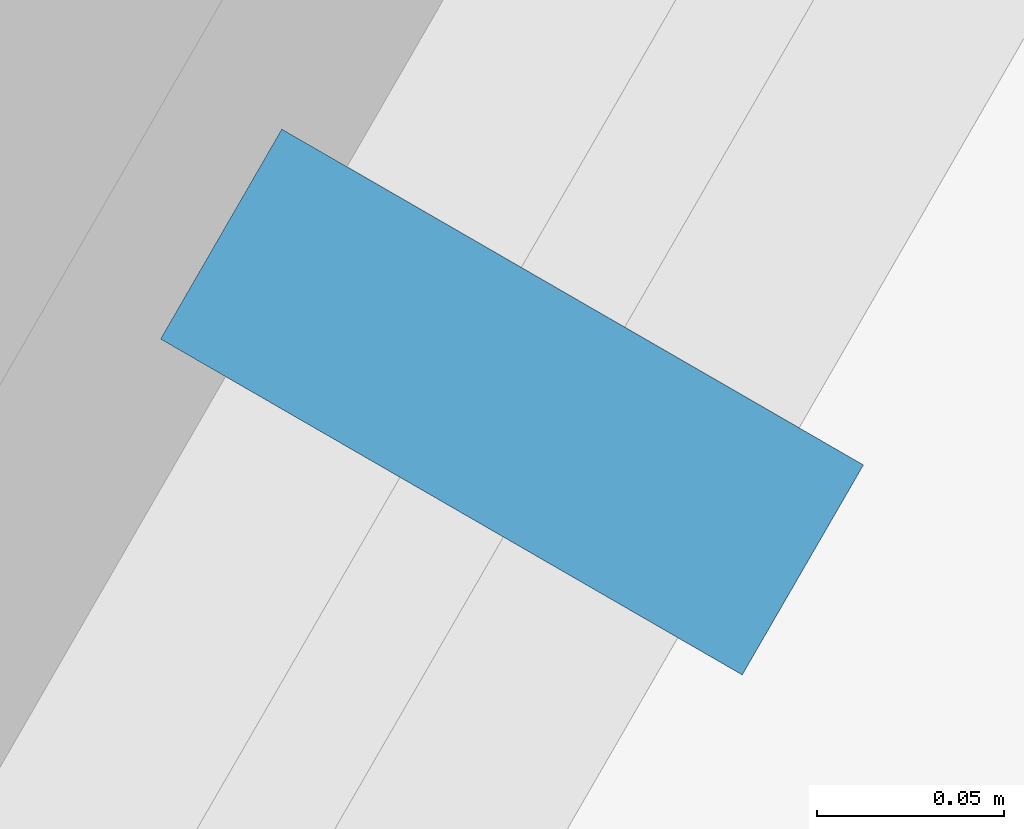
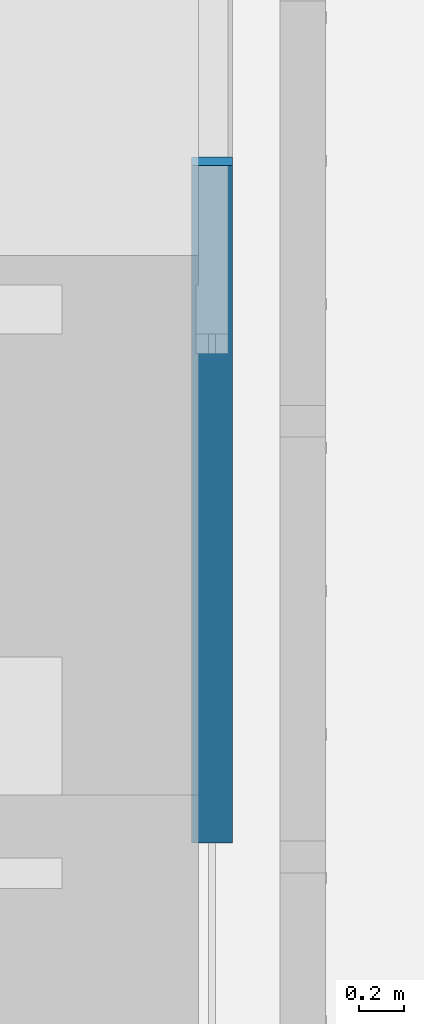
# One storey, part 84 of 238: 1 member, 1 element without a shape of its own.
"""IFC4 building model written with IfcOpenShell, lengths in metres."""

from ifc_helpers import new_model, si_unit, direction, frame, origin, origin_2d, place, context, subcontext, project, spatial, rectangle, extrude, material, material_profile, profile_set, type_object, element, aggregate, save


model = new_model("IFC4")

# Units and contexts
model_context = context("Model", 3, precision=1e-05, world=origin(), true_north=direction((0.0, 1.0)))
body_context = subcontext(model_context, "Body", "Model", "MODEL_VIEW")
ifc_project = project(units=[si_unit("LENGTHUNIT", "METRE"), si_unit("AREAUNIT", "SQUARE_METRE"), si_unit("VOLUMEUNIT", "CUBIC_METRE"), si_unit("PLANEANGLEUNIT", "RADIAN"), si_unit("MASSUNIT", "GRAM", prefix="KILO")], contexts=[model_context])

# Site, building, storey
site_placement = place(None, origin())
site = spatial("IfcSite", under=ifc_project, at=site_placement, CompositionType="ELEMENT")
building_placement = place(site_placement, origin())
building = spatial("IfcBuilding", under=site, at=building_placement, Name="Sandreach Pilgrim Tower", CompositionType="ELEMENT")
storey_placement = place(building_placement, frame((0.0, 0.0, 96.800048828125)))
storey = spatial("IfcBuildingStorey", under=building, at=storey_placement, Name="L23", CompositionType="ELEMENT", Elevation=96.800048828125)

# Curtain wall, member
ifc_material_1 = material(Name="Aluminium framed curtain wall", Category="aluminium")
curtain_wall_type = type_object("IfcCurtainWallType", Name="Hotel tower curtain wall", PredefinedType="NOTDEFINED", material=ifc_material_1)
curtain_wall_placement = place(storey_placement, origin())
curtain_wall = element("IfcCurtainWall", 1, at=curtain_wall_placement, inside=storey, type_object=curtain_wall_type, Name="CW-2 L23 SE", PredefinedType="NOTDEFINED")
ifc_material_2 = material(Name="Aluminium extrusion", Category="aluminium")
ifc_material_profile = material_profile(ifc_material_2, rectangle(XDim=0.06494140625, YDim=0.179931640625, at=origin_2d()), Name="CW-2M 65X180")
ifc_profile_set = profile_set([ifc_material_profile], Name="Aluminium extrusion")
member_type = type_object("IfcMemberType", Name="CW-2 mullion", PredefinedType="MULLION", material=ifc_profile_set)
member_placement = place(storey_placement, frame((16.39990234375, -16.58203125, 0.0), z_axis=(0.0, 0.0, 1.0), x_axis=(-0.5, -0.866025403784, 0.0)))
member = element("IfcMember", 2, at=member_placement, type_object=member_type, Name="CW-2 mullion 7", PredefinedType="MULLION", context=body_context, shape_type="SweptSolid", body=[
    extrude(rectangle(XDim=0.06494140625, YDim=0.179931640625, at=origin_2d()), origin(), (0.0, 0.0, 1.0), 3.639892578125),
])
aggregate(curtain_wall, [member])

save(model, "model.ifc")
